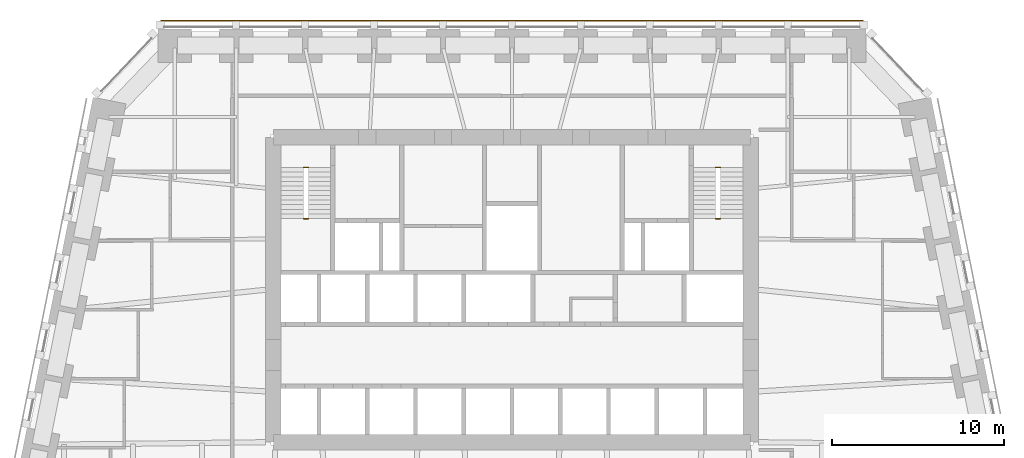
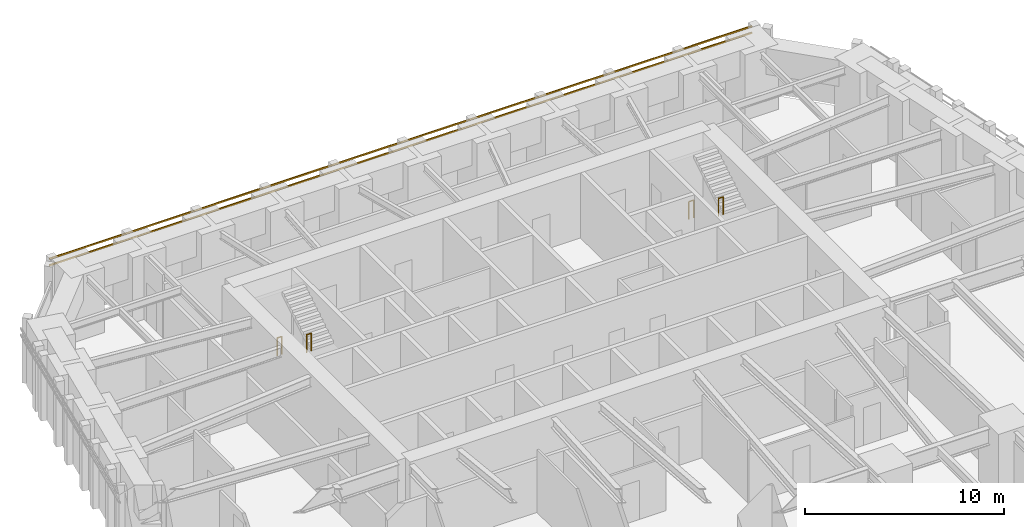
# One storey, part 17 of 17: 4 railings, 2 shading devices.
"""IFC4 building model written with IfcOpenShell, lengths in metres."""

from ifc_helpers import new_model, si_unit, direction, frame, origin, origin_2d, place, context, subcontext, project, spatial, rectangle, circle, extrude, material, material_profile, profile_set, type_object, element, save


model = new_model("IFC4")

# Units and contexts
model_context = context("Model", 3, precision=1e-05, world=origin(), true_north=direction((0.0, 1.0)))
body_context = subcontext(model_context, "Body", "Model", "MODEL_VIEW")
ifc_project = project(units=[si_unit("LENGTHUNIT", "METRE"), si_unit("AREAUNIT", "SQUARE_METRE"), si_unit("VOLUMEUNIT", "CUBIC_METRE"), si_unit("PLANEANGLEUNIT", "RADIAN"), si_unit("MASSUNIT", "GRAM", prefix="KILO")], contexts=[model_context])

# Site, building, storey
site_placement = place(None, origin())
site = spatial("IfcSite", under=ifc_project, at=site_placement, CompositionType="ELEMENT")
building_placement = place(site_placement, origin())
building = spatial("IfcBuilding", under=site, at=building_placement, Name="Isbrekke Arena Tower", CompositionType="ELEMENT")
storey_placement = place(building_placement, frame((0.0, 0.0, 48.0)))
storey = spatial("IfcBuildingStorey", under=building, at=storey_placement, Name="L09", CompositionType="ELEMENT", Elevation=48.0)

# Shading devices
ifc_material_1 = material(Name="Terracotta", Category="masonry")
ifc_material_profile = material_profile(ifc_material_1, rectangle(XDim=0.06005859375, YDim=0.06005859375, at=origin_2d()), Name="BAGUETTE 60X60")
ifc_profile_set = profile_set([ifc_material_profile], Name="Terracotta")
shading_device_type = type_object("IfcShadingDeviceType", Name="BG1 TERRACOTTA BAGUETTE 60 x 60", PredefinedType="USERDEFINED", material=ifc_profile_set)
for number, where, z_axis, x_axis, name in (
    (1, (20.39990234375, 30.6298828125, 3.280029296875), (-1.0, 0.0, 0.0), (0.0, -1.0, 0.0), "BG1 terracotta baguette N1 L09"),
    (2, (20.39990234375, 30.6298828125, 3.679931640625), (-1.0, 0.0, 0.0), (0.0, -1.0, 0.0), "BG1 terracotta baguette N2 L09"),
):
    element("IfcShadingDevice", number, at=place(storey_placement, frame(where, z_axis=z_axis, x_axis=x_axis)), inside=storey, type_object=shading_device_type, Name=name, ObjectType="TERRACOTTA BAGUETTE", PredefinedType="USERDEFINED", context=body_context, shape_type="SweptSolid", body=[
        extrude(rectangle(XDim=0.06005859375, YDim=0.06005859375, at=origin_2d()), origin(), (0.0, 0.0, 1.0), 40.7998046875),
    ])

# Railings
ifc_material_2 = material(Name="Steel stair guard, vertical bars, steel handrail", Category="steel")
railing_type = type_object("IfcRailingType", Name="GR3 STAIR WELL GUARD 1100", PredefinedType="GUARDRAIL", material=ifc_material_2)
for number, where, name in (
    (3, (-12.10009765625, 22.10009765625, 0.0), "GR3 stair well guard ST1 L09"),
    (4, (-12.10009765625, 19.1298828125, 2.0), "GR3 stair well guard ST1 L09"),
    (5, (11.824951171875, 22.10009765625, 0.0), "GR3 stair well guard ST2 L09"),
    (6, (11.824951171875, 19.1298828125, 2.0), "GR3 stair well guard ST2 L09"),
):
    element("IfcRailing", number, at=place(storey_placement, frame(where)), inside=storey, type_object=railing_type, Name=name, PredefinedType="GUARDRAIL", context=body_context, shape_type="SweptSolid", body=[
        extrude(circle(Radius=0.02392578125, at=origin_2d()), frame((0.0, 0.0, 1.076171875), z_axis=(1.0, 0.0, 0.0), x_axis=(0.0, 1.0, 0.0)), (0.0, 0.0, 1.0), 0.275146484375),
        extrude(circle(Radius=0.02099609375, at=origin_2d()), origin(), (0.0, 0.0, 1.0), 1.052001953125),
        extrude(circle(Radius=0.02099609375, at=origin_2d()), frame((0.275146484375, 0.0, 0.0)), (0.0, 0.0, 1.0), 1.052001953125),
    ])

save(model, "model.ifc")
